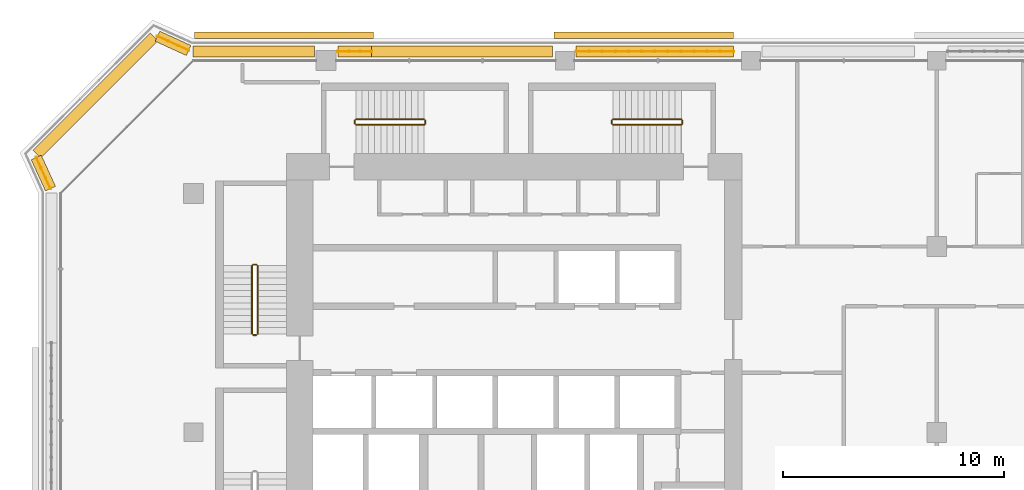
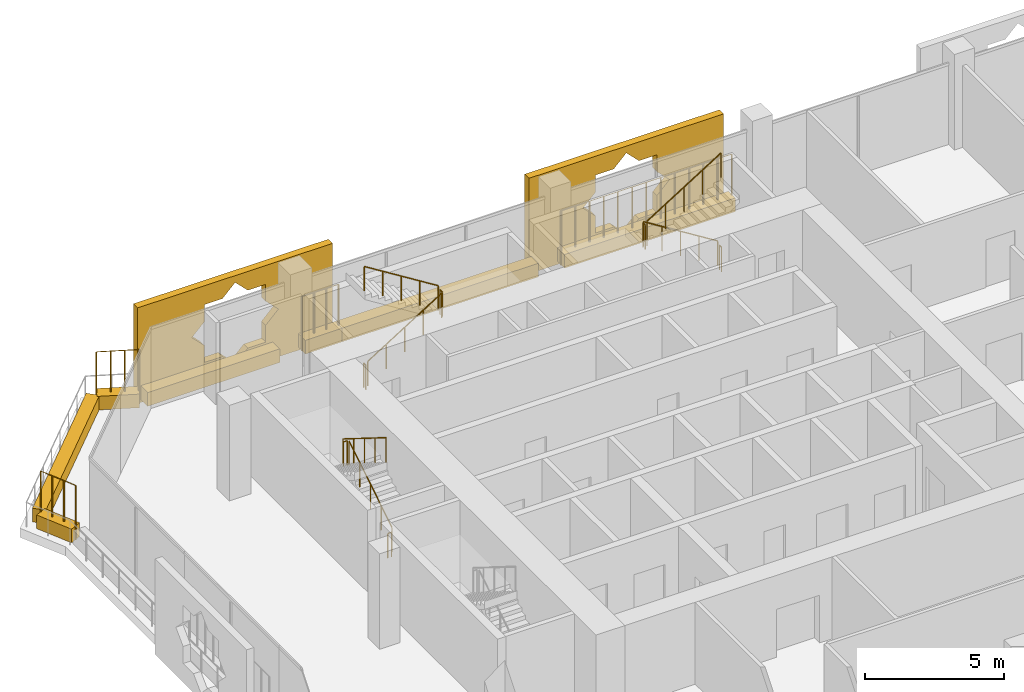
# One storey, part 18 of 20: 16 railings, 9 coverings.
"""IFC4 building model written with IfcOpenShell, lengths in metres."""

from ifc_helpers import new_model, si_unit, direction, frame, origin, origin_2d, place, context, subcontext, project, spatial, polyline, rectangle, circle, outline, extrude, material, material_profile, profile_set, type_object, element, save


model = new_model("IFC4")

# Units and contexts
model_context = context("Model", 3, precision=1e-05, world=origin(), true_north=direction((0.0, 1.0)))
body_context = subcontext(model_context, "Body", "Model", "MODEL_VIEW")
ifc_project = project(units=[si_unit("LENGTHUNIT", "METRE"), si_unit("AREAUNIT", "SQUARE_METRE"), si_unit("VOLUMEUNIT", "CUBIC_METRE"), si_unit("PLANEANGLEUNIT", "RADIAN"), si_unit("MASSUNIT", "GRAM", prefix="KILO")], contexts=[model_context])

# Site, building, storey
site_placement = place(None, origin())
site = spatial("IfcSite", under=ifc_project, at=site_placement, CompositionType="ELEMENT")
building_placement = place(site_placement, origin())
building = spatial("IfcBuilding", under=site, at=building_placement, Name="Kawkab Arch Medical Tower", CompositionType="ELEMENT")
storey_placement = place(building_placement, frame((0.0, 0.0, 239.0)))
storey = spatial("IfcBuildingStorey", under=building, at=storey_placement, Name="L55", CompositionType="ELEMENT", Elevation=239.0)

# Coverings
ifc_material_1 = material(Name="Bronze anodised aluminium mashrabiya panel, eight-point star pattern", Category="aluminium")
ifc_material_profile_1 = material_profile(ifc_material_1, outline(polyline([(-4.050048828125, -2.10009765625), (4.050048828125, -2.10009765625), (4.050048828125, 2.10009765625), (-4.050048828125, 2.10009765625), (-4.050048828125, -2.10009765625)]), holes=[polyline([(1.800048828125, 0.0), (1.272705078125, 0.527099609375), (1.272705078125, 1.272705078125), (0.527099609375, 1.272705078125), (0.0, 1.800048828125), (-0.527099609375, 1.272705078125), (-1.272705078125, 1.272705078125), (-1.272705078125, 0.527099609375), (-1.800048828125, 0.0), (-1.272705078125, -0.527099609375), (-1.272705078125, -1.272705078125), (-0.527099609375, -1.272705078125), (0.0, -1.800048828125), (0.527099609375, -1.272705078125), (1.272705078125, -1.272705078125), (1.272705078125, -0.527099609375), (1.800048828125, 0.0)])]), Name="Mashrabiya panel 8100x4200")
ifc_profile_set_1 = profile_set([ifc_material_profile_1], Name="Bronze anodised aluminium mashrabiya panel, eight-point star pattern")
covering_type_1 = type_object("IfcCoveringType", Name="Mashrabiya panel 8100 x 4200", PredefinedType="USERDEFINED", material=ifc_profile_set_1)
for number, where, z_axis, x_axis, name in (
    (1, (4.089599609375, 1.0, 1.699951171875), (0.0, 1.0, 0.0), (-1.0, 0.0, 0.0), "Mashrabiya panel L55.LOG-01-01.5"),
    (2, (20.3564453125, 1.0, 1.699951171875), (0.0, 1.0, 0.0), (-1.0, 0.0, 0.0), "Mashrabiya panel L55.LOG-01-01.6"),
):
    element("IfcCovering", number, at=place(storey_placement, frame(where, z_axis=z_axis, x_axis=x_axis)), inside=storey, type_object=covering_type_1, Name=name, ObjectType="SCREEN", PredefinedType="USERDEFINED", context=body_context, shape_type="SweptSolid", body=[
        extrude(outline(polyline([(-4.050048828125, -2.10009765625), (4.050048828125, -2.10009765625), (4.050048828125, 2.10009765625), (-4.050048828125, 2.10009765625), (-4.050048828125, -2.10009765625)]), holes=[polyline([(1.800048828125, 0.0), (1.272705078125, 0.527099609375), (1.272705078125, 1.272705078125), (0.527099609375, 1.272705078125), (0.0, 1.800048828125), (-0.527099609375, 1.272705078125), (-1.272705078125, 1.272705078125), (-1.272705078125, 0.527099609375), (-1.800048828125, 0.0), (-1.272705078125, -0.527099609375), (-1.272705078125, -1.272705078125), (-0.527099609375, -1.272705078125), (0.0, -1.800048828125), (0.527099609375, -1.272705078125), (1.272705078125, -1.272705078125), (1.272705078125, -0.527099609375), (1.800048828125, 0.0)])]), origin(), (0.0, 0.0, 1.0), 0.300048828125),
    ])
ifc_material_2 = material(Name="Planting soil in a precast trough", Category="concrete")
ifc_material_profile_2 = material_profile(ifc_material_2, rectangle(XDim=0.5, YDim=0.60009765625, at=origin_2d()), Name="Trough 500x600")
ifc_profile_set_2 = profile_set([ifc_material_profile_2], Name="Planting soil in a precast trough")
covering_type_2 = type_object("IfcCoveringType", Name="Planter trough 500 x 600", PredefinedType="USERDEFINED", material=ifc_profile_set_2)
covering_1_placement = place(storey_placement, frame((-6.4609375, -5.782958984375, 0.300048828125), z_axis=(-0.415363486165, 0.909655525109, 0.0), x_axis=(-0.909655525109, -0.415363486165, 0.0)))
element("IfcCovering", 3, at=covering_1_placement, inside=storey, type_object=covering_type_2, Name="Planter L55.LOG-01-01.13", ObjectType="PLANTER", PredefinedType="USERDEFINED", context=body_context, shape_type="SweptSolid", body=[
    extrude(rectangle(XDim=0.5, YDim=0.60009765625, at=origin_2d()), origin(), (0.0, 0.0, 1.0), 1.54345703125),
])
covering_2_placement = place(storey_placement, frame((-7.072998046875, -4.217041015625, 0.300048828125), z_axis=(0.707106781187, 0.707106781187, 0.0), x_axis=(-0.707106781187, 0.707106781187, 0.0)))
element("IfcCovering", 4, at=covering_2_placement, inside=storey, type_object=covering_type_2, Name="Planter L55.LOG-01-01.14", ObjectType="PLANTER", PredefinedType="USERDEFINED", context=body_context, shape_type="SweptSolid", body=[
    extrude(rectangle(XDim=0.5, YDim=0.60009765625, at=origin_2d()), origin(), (0.0, 0.0, 1.0), 7.481201171875),
])
covering_3_placement = place(storey_placement, frame((-1.62109375, 1.10205078125, 0.300048828125), z_axis=(0.909655525109, -0.415363486165, 0.0), x_axis=(0.415363486165, 0.909655525109, 0.0)))
element("IfcCovering", 5, at=covering_3_placement, inside=storey, type_object=covering_type_2, Name="Planter L55.LOG-01-01.15", ObjectType="PLANTER", PredefinedType="USERDEFINED", context=body_context, shape_type="SweptSolid", body=[
    extrude(rectangle(XDim=0.5, YDim=0.60009765625, at=origin_2d()), origin(), (0.0, 0.0, 1.0), 1.54345703125),
])
covering_4_placement = place(storey_placement, frame((-0.02587890625, 0.419921875, 0.300048828125), z_axis=(1.0, 0.0, 0.0), x_axis=(0.0, 1.0, 0.0)))
element("IfcCovering", 6, at=covering_4_placement, inside=storey, type_object=covering_type_2, Name="Planter L55.LOG-01-01.16", ObjectType="PLANTER", PredefinedType="USERDEFINED", context=body_context, shape_type="SweptSolid", body=[
    extrude(rectangle(XDim=0.5, YDim=0.60009765625, at=origin_2d()), origin(), (0.0, 0.0, 1.0), 5.495849609375),
])
covering_5_placement = place(storey_placement, frame((6.530029296875, 0.419921875, 0.300048828125), z_axis=(1.0, 0.0, 0.0), x_axis=(0.0, 1.0, 0.0)))
element("IfcCovering", 7, at=covering_5_placement, inside=storey, type_object=covering_type_2, Name="Planter L55.LOG-01-01.17", ObjectType="PLANTER", PredefinedType="USERDEFINED", context=body_context, shape_type="SweptSolid", body=[
    extrude(rectangle(XDim=0.5, YDim=0.60009765625, at=origin_2d()), origin(), (0.0, 0.0, 1.0), 1.52294921875),
])
covering_6_placement = place(storey_placement, frame((8.052978515625, 0.419921875, 0.300048828125), z_axis=(1.0, 0.0, 0.0), x_axis=(0.0, 1.0, 0.0)))
element("IfcCovering", 8, at=covering_6_placement, inside=storey, type_object=covering_type_2, Name="Planter L55.LOG-01-01.18", ObjectType="PLANTER", PredefinedType="USERDEFINED", context=body_context, shape_type="SweptSolid", body=[
    extrude(rectangle(XDim=0.5, YDim=0.60009765625, at=origin_2d()), origin(), (0.0, 0.0, 1.0), 8.178955078125),
])
covering_7_placement = place(storey_placement, frame((17.304931640625, 0.419921875, 0.300048828125), z_axis=(1.0, 0.0, 0.0), x_axis=(0.0, 1.0, 0.0)))
element("IfcCovering", 9, at=covering_7_placement, inside=storey, type_object=covering_type_2, Name="Planter L55.LOG-01-01.19", ObjectType="PLANTER", PredefinedType="USERDEFINED", context=body_context, shape_type="SweptSolid", body=[
    extrude(rectangle(XDim=0.5, YDim=0.60009765625, at=origin_2d()), origin(), (0.0, 0.0, 1.0), 7.10595703125),
])

# Railings
ifc_material_3 = material(Name="Bronze anodised aluminium trellis for climbing plants", Category="aluminium")
railing_type_1 = type_object("IfcRailingType", Name="Planting trellis 2400", PredefinedType="USERDEFINED", material=ifc_material_3)
railing_1_placement = place(storey_placement, frame((-6.4609375, -5.782958984375, 0.0)))
element("IfcRailing", 10, at=railing_1_placement, inside=storey, type_object=railing_type_1, Name="Planting trellis L55.LOG-01-01.13", ObjectType="TRELLIS", PredefinedType="USERDEFINED", context=body_context, shape_type="SweptSolid", body=[
    extrude(circle(Radius=0.01513671875, at=origin_2d()), frame((0.0, 0.0, 2.384765625), z_axis=(-0.415363486165, 0.909655525109, 0.0), x_axis=(-0.909655525109, -0.415363486165, 0.0)), (0.0, 0.0, 1.0), 1.54345703125),
    extrude(circle(Radius=0.030029296875, at=origin_2d()), origin(), (0.0, 0.0, 1.0), 2.369873046875),
    extrude(circle(Radius=0.030029296875, at=origin_2d()), frame((-0.213623046875, 0.468017578125, 0.0)), (0.0, 0.0, 1.0), 2.369873046875),
    extrude(circle(Radius=0.030029296875, at=origin_2d()), frame((-0.427490234375, 0.93603515625, 0.0)), (0.0, 0.0, 1.0), 2.369873046875),
    extrude(circle(Radius=0.030029296875, at=origin_2d()), frame((-0.64111328125, 1.404052734375, 0.0)), (0.0, 0.0, 1.0), 2.369873046875),
])
railing_2_placement = place(storey_placement, frame((-1.62109375, 1.10205078125, 0.0)))
element("IfcRailing", 11, at=railing_2_placement, inside=storey, type_object=railing_type_1, Name="Planting trellis L55.LOG-01-01.15", ObjectType="TRELLIS", PredefinedType="USERDEFINED", context=body_context, shape_type="SweptSolid", body=[
    extrude(circle(Radius=0.01513671875, at=origin_2d()), frame((0.0, 0.0, 2.384765625), z_axis=(0.909655525109, -0.415363486165, 0.0), x_axis=(0.415363486165, 0.909655525109, 0.0)), (0.0, 0.0, 1.0), 1.54345703125),
    extrude(circle(Radius=0.030029296875, at=origin_2d()), origin(), (0.0, 0.0, 1.0), 2.369873046875),
    extrude(circle(Radius=0.030029296875, at=origin_2d()), frame((0.468017578125, -0.213623046875, 0.0)), (0.0, 0.0, 1.0), 2.369873046875),
    extrude(circle(Radius=0.030029296875, at=origin_2d()), frame((0.93603515625, -0.427490234375, 0.0)), (0.0, 0.0, 1.0), 2.369873046875),
    extrude(circle(Radius=0.030029296875, at=origin_2d()), frame((1.404052734375, -0.64111328125, 0.0)), (0.0, 0.0, 1.0), 2.369873046875),
])
railing_3_placement = place(storey_placement, frame((6.530029296875, 0.419921875, 0.0)))
element("IfcRailing", 12, at=railing_3_placement, inside=storey, type_object=railing_type_1, Name="Planting trellis L55.LOG-01-01.17", ObjectType="TRELLIS", PredefinedType="USERDEFINED", context=body_context, shape_type="SweptSolid", body=[
    extrude(circle(Radius=0.01513671875, at=origin_2d()), frame((0.0, 0.0, 2.384765625), z_axis=(1.0, 0.0, 0.0), x_axis=(0.0, 1.0, 0.0)), (0.0, 0.0, 1.0), 1.52294921875),
    extrude(circle(Radius=0.030029296875, at=origin_2d()), origin(), (0.0, 0.0, 1.0), 2.369873046875),
    extrude(circle(Radius=0.030029296875, at=origin_2d()), frame((0.507568359375, 0.0, 0.0)), (0.0, 0.0, 1.0), 2.369873046875),
    extrude(circle(Radius=0.030029296875, at=origin_2d()), frame((1.015380859375, 0.0, 0.0)), (0.0, 0.0, 1.0), 2.369873046875),
    extrude(circle(Radius=0.030029296875, at=origin_2d()), frame((1.52294921875, 0.0, 0.0)), (0.0, 0.0, 1.0), 2.369873046875),
])
railing_4_placement = place(storey_placement, frame((17.304931640625, 0.419921875, 0.0)))
element("IfcRailing", 13, at=railing_4_placement, inside=storey, type_object=railing_type_1, Name="Planting trellis L55.LOG-01-01.19", ObjectType="TRELLIS", PredefinedType="USERDEFINED", context=body_context, shape_type="SweptSolid", body=[
    extrude(circle(Radius=0.01513671875, at=origin_2d()), frame((0.0, 0.0, 2.384765625), z_axis=(1.0, 0.0, 0.0), x_axis=(0.0, 1.0, 0.0)), (0.0, 0.0, 1.0), 7.10595703125),
    extrude(circle(Radius=0.030029296875, at=origin_2d()), origin(), (0.0, 0.0, 1.0), 2.369873046875),
    extrude(circle(Radius=0.030029296875, at=origin_2d()), frame((0.59228515625, 0.0, 0.0)), (0.0, 0.0, 1.0), 2.369873046875),
    extrude(circle(Radius=0.030029296875, at=origin_2d()), frame((1.184326171875, 0.0, 0.0)), (0.0, 0.0, 1.0), 2.369873046875),
    extrude(circle(Radius=0.030029296875, at=origin_2d()), frame((1.7763671875, 0.0, 0.0)), (0.0, 0.0, 1.0), 2.369873046875),
    extrude(circle(Radius=0.030029296875, at=origin_2d()), frame((2.36865234375, 0.0, 0.0)), (0.0, 0.0, 1.0), 2.369873046875),
    extrude(circle(Radius=0.030029296875, at=origin_2d()), frame((2.9609375, 0.0, 0.0)), (0.0, 0.0, 1.0), 2.369873046875),
    extrude(circle(Radius=0.030029296875, at=origin_2d()), frame((3.552978515625, 0.0, 0.0)), (0.0, 0.0, 1.0), 2.369873046875),
    extrude(circle(Radius=0.030029296875, at=origin_2d()), frame((4.14501953125, 0.0, 0.0)), (0.0, 0.0, 1.0), 2.369873046875),
    extrude(circle(Radius=0.030029296875, at=origin_2d()), frame((4.7373046875, 0.0, 0.0)), (0.0, 0.0, 1.0), 2.369873046875),
    extrude(circle(Radius=0.030029296875, at=origin_2d()), frame((5.32958984375, 0.0, 0.0)), (0.0, 0.0, 1.0), 2.369873046875),
    extrude(circle(Radius=0.030029296875, at=origin_2d()), frame((5.921630859375, 0.0, 0.0)), (0.0, 0.0, 1.0), 2.369873046875),
    extrude(circle(Radius=0.030029296875, at=origin_2d()), frame((6.513671875, 0.0, 0.0)), (0.0, 0.0, 1.0), 2.369873046875),
    extrude(circle(Radius=0.030029296875, at=origin_2d()), frame((7.10595703125, 0.0, 0.0)), (0.0, 0.0, 1.0), 2.369873046875),
])
ifc_material_4 = material(Name="Stainless steel", Category="steel")
railing_type_2 = type_object("IfcRailingType", Name="Stair guard 1100", PredefinedType="GUARDRAIL", material=ifc_material_4)
railing_5_placement = place(storey_placement, frame((2.89990234375, -12.35009765625, 0.175048828125)))
element("IfcRailing", 14, at=railing_5_placement, inside=storey, type_object=railing_type_2, Name="L55 ST1 stair guard 1", PredefinedType="GUARDRAIL", context=body_context, shape_type="SweptSolid", body=[
    extrude(circle(Radius=0.02392578125, at=origin_2d()), frame((0.0, 0.0, 1.076171875), z_axis=(0.0, 0.847998304005, 0.529998940003), x_axis=(-1.0, 0.0, 0.0)), (0.0, 0.0, 1.0), 3.632080078125),
    extrude(circle(Radius=0.02099609375, at=origin_2d()), origin(), (0.0, 0.0, 1.0), 1.052001953125),
    extrude(circle(Radius=0.02099609375, at=origin_2d()), frame((0.0, 0.77001953125, 0.481201171875)), (0.0, 0.0, 1.0), 1.052001953125),
    extrude(circle(Radius=0.02099609375, at=origin_2d()), frame((0.0, 1.5400390625, 0.96240234375)), (0.0, 0.0, 1.0), 1.052001953125),
    extrude(circle(Radius=0.02099609375, at=origin_2d()), frame((0.0, 2.31005859375, 1.44384765625)), (0.0, 0.0, 1.0), 1.052001953125),
    extrude(circle(Radius=0.02099609375, at=origin_2d()), frame((0.0, 3.080078125, 1.925048828125)), (0.0, 0.0, 1.0), 1.052001953125),
])
railing_6_placement = place(storey_placement, frame((2.85009765625, -9.219970703125, 2.10009765625)))
element("IfcRailing", 15, at=railing_6_placement, inside=storey, type_object=railing_type_2, Name="L55 ST1 stair guard 2", PredefinedType="GUARDRAIL", context=body_context, shape_type="SweptSolid", body=[
    extrude(circle(Radius=0.02392578125, at=origin_2d()), frame((0.0, 0.0, 1.076171875), z_axis=(-1.0, 0.0, 0.0), x_axis=(0.0, -1.0, 0.0)), (0.0, 0.0, 1.0), 0.150146484375),
    extrude(circle(Radius=0.02099609375, at=origin_2d()), origin(), (0.0, 0.0, 1.0), 1.052001953125),
    extrude(circle(Radius=0.02099609375, at=origin_2d()), frame((-0.150146484375, 0.0, 0.0)), (0.0, 0.0, 1.0), 1.052001953125),
])
railing_7_placement = place(storey_placement, frame((2.64990234375, -9.27001953125, 2.27490234375)))
element("IfcRailing", 16, at=railing_7_placement, inside=storey, type_object=railing_type_2, Name="L55 ST1 stair guard 3", PredefinedType="GUARDRAIL", context=body_context, shape_type="SweptSolid", body=[
    extrude(circle(Radius=0.02392578125, at=origin_2d()), frame((0.0, 0.0, 1.076171875), z_axis=(0.0, -0.847998304005, 0.529998940003), x_axis=(1.0, 0.0, 0.0)), (0.0, 0.0, 1.0), 3.632080078125),
    extrude(circle(Radius=0.02099609375, at=origin_2d()), origin(), (0.0, 0.0, 1.0), 1.052001953125),
    extrude(circle(Radius=0.02099609375, at=origin_2d()), frame((0.0, -0.77001953125, 0.481201171875)), (0.0, 0.0, 1.0), 1.052001953125),
    extrude(circle(Radius=0.02099609375, at=origin_2d()), frame((0.0, -1.5400390625, 0.96240234375)), (0.0, 0.0, 1.0), 1.052001953125),
    extrude(circle(Radius=0.02099609375, at=origin_2d()), frame((0.0, -2.31005859375, 1.44384765625)), (0.0, 0.0, 1.0), 1.052001953125),
    extrude(circle(Radius=0.02099609375, at=origin_2d()), frame((0.0, -3.080078125, 1.925048828125)), (0.0, 0.0, 1.0), 1.052001953125),
])
railing_8_placement = place(storey_placement, frame((2.85009765625, -12.39990234375, 0.0)))
element("IfcRailing", 17, at=railing_8_placement, inside=storey, type_object=railing_type_2, Name="L55 ST1 stair guard 4", PredefinedType="GUARDRAIL", context=body_context, shape_type="SweptSolid", body=[
    extrude(circle(Radius=0.02392578125, at=origin_2d()), frame((0.0, 0.0, 1.076171875), z_axis=(-1.0, 0.0, 0.0), x_axis=(0.0, -1.0, 0.0)), (0.0, 0.0, 1.0), 0.150146484375),
    extrude(circle(Radius=0.02099609375, at=origin_2d()), origin(), (0.0, 0.0, 1.0), 1.052001953125),
    extrude(circle(Radius=0.02099609375, at=origin_2d()), frame((-0.150146484375, 0.0, 0.0)), (0.0, 0.0, 1.0), 1.052001953125),
])
railing_9_placement = place(storey_placement, frame((7.35009765625, -2.89990234375, 0.175048828125)))
element("IfcRailing", 18, at=railing_9_placement, inside=storey, type_object=railing_type_2, Name="L55 ST3 stair guard 1", PredefinedType="GUARDRAIL", context=body_context, shape_type="SweptSolid", body=[
    extrude(circle(Radius=0.02392578125, at=origin_2d()), frame((0.0, 0.0, 1.076171875), z_axis=(0.847979421464, 0.0, 0.530029150871), x_axis=(0.0, 1.0, 0.0)), (0.0, 0.0, 1.0), 3.632080078125),
    extrude(circle(Radius=0.02099609375, at=origin_2d()), origin(), (0.0, 0.0, 1.0), 1.052001953125),
    extrude(circle(Radius=0.02099609375, at=origin_2d()), frame((0.77001953125, 0.0, 0.481201171875)), (0.0, 0.0, 1.0), 1.052001953125),
    extrude(circle(Radius=0.02099609375, at=origin_2d()), frame((1.5400390625, 0.0, 0.96240234375)), (0.0, 0.0, 1.0), 1.052001953125),
    extrude(circle(Radius=0.02099609375, at=origin_2d()), frame((2.309814453125, 0.0, 1.44384765625)), (0.0, 0.0, 1.0), 1.052001953125),
    extrude(circle(Radius=0.02099609375, at=origin_2d()), frame((3.079833984375, 0.0, 1.925048828125)), (0.0, 0.0, 1.0), 1.052001953125),
])
railing_10_placement = place(storey_placement, frame((10.47998046875, -2.85009765625, 2.10009765625)))
element("IfcRailing", 19, at=railing_10_placement, inside=storey, type_object=railing_type_2, Name="L55 ST3 stair guard 2", PredefinedType="GUARDRAIL", context=body_context, shape_type="SweptSolid", body=[
    extrude(circle(Radius=0.02392578125, at=origin_2d()), frame((0.0, 0.0, 1.076171875), z_axis=(0.0, 1.0, 0.0), x_axis=(-1.0, 0.0, 0.0)), (0.0, 0.0, 1.0), 0.150146484375),
    extrude(circle(Radius=0.02099609375, at=origin_2d()), origin(), (0.0, 0.0, 1.0), 1.052001953125),
    extrude(circle(Radius=0.02099609375, at=origin_2d()), frame((0.0, 0.150146484375, 0.0)), (0.0, 0.0, 1.0), 1.052001953125),
])
railing_11_placement = place(storey_placement, frame((10.429931640625, -2.64990234375, 2.27490234375)))
element("IfcRailing", 20, at=railing_11_placement, inside=storey, type_object=railing_type_2, Name="L55 ST3 stair guard 3", PredefinedType="GUARDRAIL", context=body_context, shape_type="SweptSolid", body=[
    extrude(circle(Radius=0.02392578125, at=origin_2d()), frame((0.0, 0.0, 1.076171875), z_axis=(-0.847979421464, 0.0, 0.530029150871), x_axis=(0.0, -1.0, 0.0)), (0.0, 0.0, 1.0), 3.632080078125),
    extrude(circle(Radius=0.02099609375, at=origin_2d()), origin(), (0.0, 0.0, 1.0), 1.052001953125),
    extrude(circle(Radius=0.02099609375, at=origin_2d()), frame((-0.77001953125, 0.0, 0.481201171875)), (0.0, 0.0, 1.0), 1.052001953125),
    extrude(circle(Radius=0.02099609375, at=origin_2d()), frame((-1.5400390625, 0.0, 0.96240234375)), (0.0, 0.0, 1.0), 1.052001953125),
    extrude(circle(Radius=0.02099609375, at=origin_2d()), frame((-2.309814453125, 0.0, 1.44384765625)), (0.0, 0.0, 1.0), 1.052001953125),
    extrude(circle(Radius=0.02099609375, at=origin_2d()), frame((-3.079833984375, 0.0, 1.925048828125)), (0.0, 0.0, 1.0), 1.052001953125),
])
railing_12_placement = place(storey_placement, frame((7.300048828125, -2.85009765625, 0.0)))
element("IfcRailing", 21, at=railing_12_placement, inside=storey, type_object=railing_type_2, Name="L55 ST3 stair guard 4", PredefinedType="GUARDRAIL", context=body_context, shape_type="SweptSolid", body=[
    extrude(circle(Radius=0.02392578125, at=origin_2d()), frame((0.0, 0.0, 1.076171875), z_axis=(0.0, 1.0, 0.0), x_axis=(-1.0, 0.0, 0.0)), (0.0, 0.0, 1.0), 0.150146484375),
    extrude(circle(Radius=0.02099609375, at=origin_2d()), origin(), (0.0, 0.0, 1.0), 1.052001953125),
    extrude(circle(Radius=0.02099609375, at=origin_2d()), frame((0.0, 0.150146484375, 0.0)), (0.0, 0.0, 1.0), 1.052001953125),
])
railing_13_placement = place(storey_placement, frame((22.050048828125, -2.64990234375, 0.175048828125)))
element("IfcRailing", 22, at=railing_13_placement, inside=storey, type_object=railing_type_2, Name="L55 ST4 stair guard 1", PredefinedType="GUARDRAIL", context=body_context, shape_type="SweptSolid", body=[
    extrude(circle(Radius=0.02392578125, at=origin_2d()), frame((0.0, 0.0, 1.076171875), z_axis=(-0.847998304005, 0.0, 0.529998940003), x_axis=(0.0, -1.0, 0.0)), (0.0, 0.0, 1.0), 3.632080078125),
    extrude(circle(Radius=0.02099609375, at=origin_2d()), origin(), (0.0, 0.0, 1.0), 1.052001953125),
    extrude(circle(Radius=0.02099609375, at=origin_2d()), frame((-0.77001953125, 0.0, 0.481201171875)), (0.0, 0.0, 1.0), 1.052001953125),
    extrude(circle(Radius=0.02099609375, at=origin_2d()), frame((-1.5400390625, 0.0, 0.96240234375)), (0.0, 0.0, 1.0), 1.052001953125),
    extrude(circle(Radius=0.02099609375, at=origin_2d()), frame((-2.31005859375, 0.0, 1.44384765625)), (0.0, 0.0, 1.0), 1.052001953125),
    extrude(circle(Radius=0.02099609375, at=origin_2d()), frame((-3.080078125, 0.0, 1.925048828125)), (0.0, 0.0, 1.0), 1.052001953125),
])
railing_14_placement = place(storey_placement, frame((18.919921875, -2.699951171875, 2.10009765625)))
element("IfcRailing", 23, at=railing_14_placement, inside=storey, type_object=railing_type_2, Name="L55 ST4 stair guard 2", PredefinedType="GUARDRAIL", context=body_context, shape_type="SweptSolid", body=[
    extrude(circle(Radius=0.02392578125, at=origin_2d()), frame((0.0, 0.0, 1.076171875), z_axis=(0.0, -1.0, 0.0), x_axis=(1.0, 0.0, 0.0)), (0.0, 0.0, 1.0), 0.150146484375),
    extrude(circle(Radius=0.02099609375, at=origin_2d()), origin(), (0.0, 0.0, 1.0), 1.052001953125),
    extrude(circle(Radius=0.02099609375, at=origin_2d()), frame((0.0, -0.150146484375, 0.0)), (0.0, 0.0, 1.0), 1.052001953125),
])
railing_15_placement = place(storey_placement, frame((18.969970703125, -2.89990234375, 2.27490234375)))
element("IfcRailing", 24, at=railing_15_placement, inside=storey, type_object=railing_type_2, Name="L55 ST4 stair guard 3", PredefinedType="GUARDRAIL", context=body_context, shape_type="SweptSolid", body=[
    extrude(circle(Radius=0.02392578125, at=origin_2d()), frame((0.0, 0.0, 1.076171875), z_axis=(0.847998304005, 0.0, 0.529998940003), x_axis=(0.0, 1.0, 0.0)), (0.0, 0.0, 1.0), 3.632080078125),
    extrude(circle(Radius=0.02099609375, at=origin_2d()), origin(), (0.0, 0.0, 1.0), 1.052001953125),
    extrude(circle(Radius=0.02099609375, at=origin_2d()), frame((0.77001953125, 0.0, 0.481201171875)), (0.0, 0.0, 1.0), 1.052001953125),
    extrude(circle(Radius=0.02099609375, at=origin_2d()), frame((1.5400390625, 0.0, 0.96240234375)), (0.0, 0.0, 1.0), 1.052001953125),
    extrude(circle(Radius=0.02099609375, at=origin_2d()), frame((2.31005859375, 0.0, 1.44384765625)), (0.0, 0.0, 1.0), 1.052001953125),
    extrude(circle(Radius=0.02099609375, at=origin_2d()), frame((3.080078125, 0.0, 1.925048828125)), (0.0, 0.0, 1.0), 1.052001953125),
])
railing_16_placement = place(storey_placement, frame((22.10009765625, -2.699951171875, 0.0)))
element("IfcRailing", 25, at=railing_16_placement, inside=storey, type_object=railing_type_2, Name="L55 ST4 stair guard 4", PredefinedType="GUARDRAIL", context=body_context, shape_type="SweptSolid", body=[
    extrude(circle(Radius=0.02392578125, at=origin_2d()), frame((0.0, 0.0, 1.076171875), z_axis=(0.0, -1.0, 0.0), x_axis=(1.0, 0.0, 0.0)), (0.0, 0.0, 1.0), 0.150146484375),
    extrude(circle(Radius=0.02099609375, at=origin_2d()), origin(), (0.0, 0.0, 1.0), 1.052001953125),
    extrude(circle(Radius=0.02099609375, at=origin_2d()), frame((0.0, -0.150146484375, 0.0)), (0.0, 0.0, 1.0), 1.052001953125),
])

save(model, "model.ifc")
